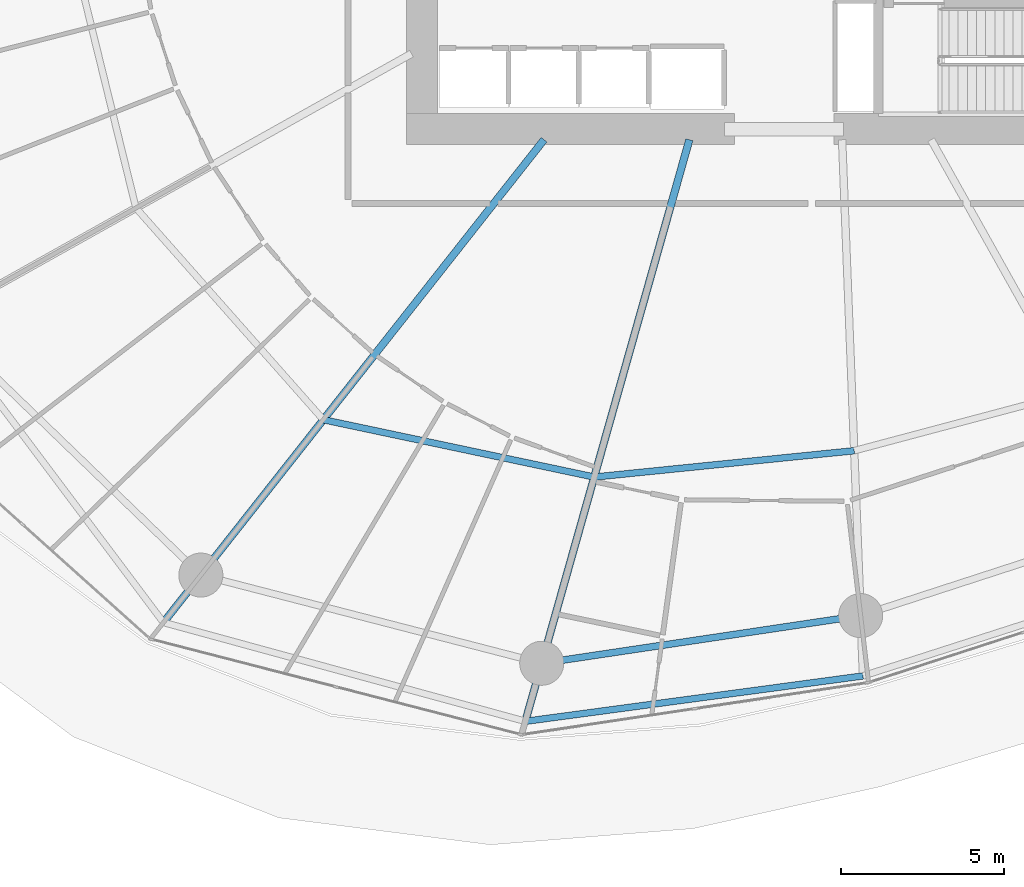
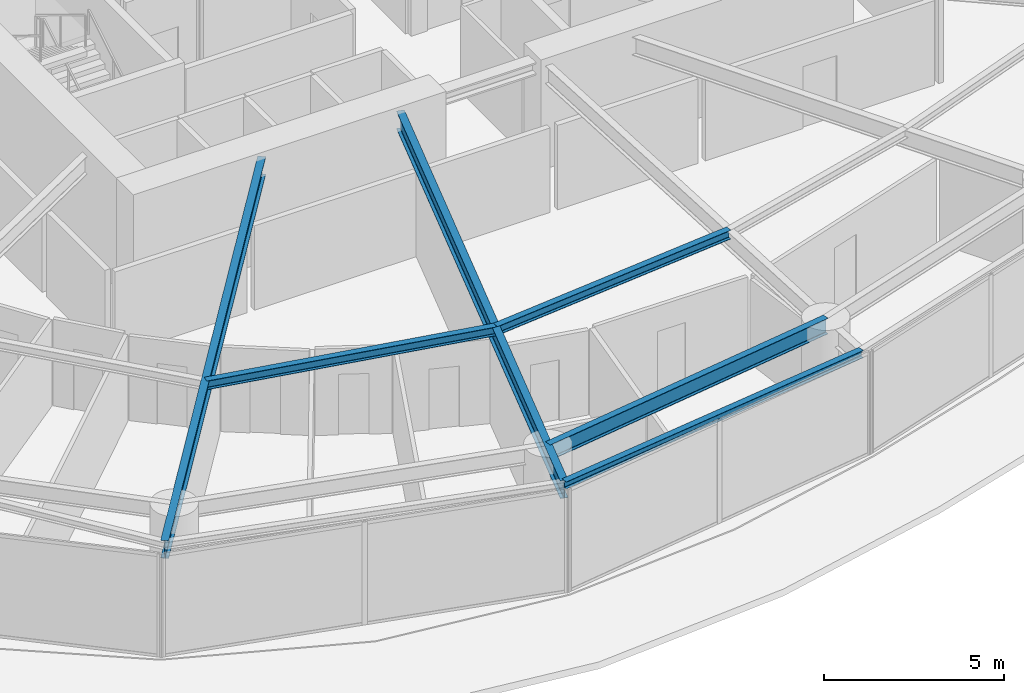
# One storey, part 6 of 22: 6 beams.
"""IFC4 building model written with IfcOpenShell, lengths in metres."""

from ifc_helpers import new_model, si_unit, direction, frame, origin, origin_2d, place, context, subcontext, project, spatial, i_section, extrude, material, material_profile, profile_set, type_object, element, save


model = new_model("IFC4")

# Units and contexts
model_context = context("Model", 3, precision=1e-05, world=origin(), true_north=direction((0.0, 1.0)))
body_context = subcontext(model_context, "Body", "Model", "MODEL_VIEW")
ifc_project = project(units=[si_unit("LENGTHUNIT", "METRE"), si_unit("AREAUNIT", "SQUARE_METRE"), si_unit("VOLUMEUNIT", "CUBIC_METRE"), si_unit("PLANEANGLEUNIT", "RADIAN"), si_unit("MASSUNIT", "GRAM", prefix="KILO")], contexts=[model_context])

# Site, building, storey
site_placement = place(None, origin())
site = spatial("IfcSite", under=ifc_project, at=site_placement, CompositionType="ELEMENT")
building_placement = place(site_placement, origin())
building = spatial("IfcBuilding", under=site, at=building_placement, Name="Kazma Halo Residences", CompositionType="ELEMENT")
storey_placement = place(building_placement, frame((0.0, 0.0, 26.39990234375)))
storey = spatial("IfcBuildingStorey", under=building, at=storey_placement, Name="L05", CompositionType="ELEMENT", Elevation=26.39990234375)

# Beams
ifc_material = material(Name="Steel S355", Category="steel")
ifc_material_profile_1 = material_profile(ifc_material, i_section(OverallWidth=0.201904296875, OverallDepth=0.2470703125, WebThickness=0.00732421875, FlangeThickness=0.010986328125, FilletRadius=0.011962890625, at=origin_2d()), Name="W250x49.1")
ifc_profile_set_1 = profile_set([ifc_material_profile_1], Name="Steel S355")
beam_type_1 = type_object("IfcBeamType", Name="BM-BAL-CANT", PredefinedType="BEAM", material=ifc_profile_set_1)
beam_1_placement = place(storey_placement, frame((40.489501953125, 15.3701171875, 3.376708984375), z_axis=(0.991080087388, 0.133267626912, 0.0), x_axis=(-0.133267626912, 0.991080087388, 0.0)))
element("IfcBeam", 1, at=beam_1_placement, inside=storey, type_object=beam_type_1, Name="L05 wave-balcony tie beam 11", PredefinedType="BEAM", context=body_context, shape_type="SweptSolid", body=[
    extrude(i_section(OverallWidth=0.201904296875, OverallDepth=0.2470703125, WebThickness=0.00732421875, FlangeThickness=0.010986328125, FilletRadius=0.011962890625, at=origin_2d()), origin(), (0.0, 0.0, 1.0), 10.444091796875),
])
ifc_material_profile_2 = material_profile(ifc_material, i_section(OverallWidth=0.22802734375, OverallDepth=0.60791015625, WebThickness=0.01123046875, FlangeThickness=0.017333984375, FilletRadius=0.01806640625, at=origin_2d()), Name="W610x113")
ifc_profile_set_2 = profile_set([ifc_material_profile_2], Name="Steel S355")
beam_type_2 = type_object("IfcBeamType", Name="BM-RAD-W610", PredefinedType="BEAM", material=ifc_profile_set_2)
beam_2_placement = place(storey_placement, frame((41.0625, 33.199951171875, 3.196044921875), z_axis=(-0.619092154321, -0.785318345932, 0.0), x_axis=(0.785318345932, -0.619092154321, 0.0)))
element("IfcBeam", 2, at=beam_2_placement, inside=storey, type_object=beam_type_2, Name="L05 radial floor beam 10", PredefinedType="BEAM", context=body_context, shape_type="SweptSolid", body=[
    extrude(i_section(OverallWidth=0.22802734375, OverallDepth=0.60791015625, WebThickness=0.01123046875, FlangeThickness=0.017333984375, FilletRadius=0.01806640625, at=origin_2d()), origin(), (0.0, 0.0, 1.0), 18.84375),
])
beam_3_placement = place(storey_placement, frame((45.51806640625, 33.199951171875, 3.196044921875), z_axis=(-0.271442010129, -0.962454796412, 0.0), x_axis=(0.962454796412, -0.271442010129, 0.0)))
element("IfcBeam", 3, at=beam_3_placement, inside=storey, type_object=beam_type_2, Name="L05 radial floor beam 11", PredefinedType="BEAM", context=body_context, shape_type="SweptSolid", body=[
    extrude(i_section(OverallWidth=0.22802734375, OverallDepth=0.60791015625, WebThickness=0.01123046875, FlangeThickness=0.017333984375, FilletRadius=0.01806640625, at=origin_2d()), origin(), (0.0, 0.0, 1.0), 18.525390625),
])
ifc_material_profile_3 = material_profile(ifc_material, i_section(OverallWidth=0.202880859375, OverallDepth=0.302978515625, WebThickness=0.007568359375, FlangeThickness=0.01318359375, FilletRadius=0.013916015625, at=origin_2d()), Name="W310x60")
ifc_profile_set_3 = profile_set([ifc_material_profile_3], Name="Steel S355")
beam_type_3 = type_object("IfcBeamType", Name="BM-SEC-W310A", PredefinedType="JOIST", material=ifc_profile_set_3)
beam_4_placement = place(storey_placement, frame((34.296142578125, 24.616943359375, 3.3486328125), z_axis=(0.97831665719, -0.207114746615, 0.0), x_axis=(0.207114746615, 0.97831665719, 0.0)))
element("IfcBeam", 4, at=beam_4_placement, inside=storey, type_object=beam_type_3, Name="L05 circumferential floor joist 10", PredefinedType="JOIST", context=body_context, shape_type="SweptSolid", body=[
    extrude(i_section(OverallWidth=0.202880859375, OverallDepth=0.302978515625, WebThickness=0.007568359375, FlangeThickness=0.01318359375, FilletRadius=0.013916015625, at=origin_2d()), origin(), (0.0, 0.0, 1.0), 8.489501953125),
])
beam_5_placement = place(storey_placement, frame((42.6015625, 22.858642578125, 3.3486328125), z_axis=(0.994907811148, 0.100789123008, 0.0), x_axis=(-0.100789123008, 0.994907811148, 0.0)))
element("IfcBeam", 5, at=beam_5_placement, inside=storey, type_object=beam_type_3, Name="L05 circumferential floor joist 11", PredefinedType="JOIST", context=body_context, shape_type="SweptSolid", body=[
    extrude(i_section(OverallWidth=0.202880859375, OverallDepth=0.302978515625, WebThickness=0.007568359375, FlangeThickness=0.01318359375, FilletRadius=0.013916015625, at=origin_2d()), origin(), (0.0, 0.0, 1.0), 8.010498046875),
])
ifc_material_profile_4 = material_profile(ifc_material, i_section(OverallWidth=0.208984375, OverallDepth=0.532958984375, WebThickness=0.01025390625, FlangeThickness=0.015625, FilletRadius=0.01611328125, at=origin_2d()), Name="W530x92")
ifc_profile_set_4 = profile_set([ifc_material_profile_4], Name="Steel S355")
beam_type_4 = type_object("IfcBeamType", Name="BM-SPN-W530", PredefinedType="BEAM", material=ifc_profile_set_4)
beam_6_placement = place(storey_placement, frame((40.99169921875, 17.150634765625, 3.233642578125), z_axis=(0.989033061974, 0.147694286693, 0.0), x_axis=(-0.147694286693, 0.989033061974, 0.0)))
element("IfcBeam", 6, at=beam_6_placement, inside=storey, type_object=beam_type_4, Name="L05 perimeter ring beam 11", PredefinedType="BEAM", context=body_context, shape_type="SweptSolid", body=[
    extrude(i_section(OverallWidth=0.208984375, OverallDepth=0.532958984375, WebThickness=0.01025390625, FlangeThickness=0.015625, FilletRadius=0.01611328125, at=origin_2d()), origin(), (0.0, 0.0, 1.0), 9.885009765625),
])

save(model, "model.ifc")
